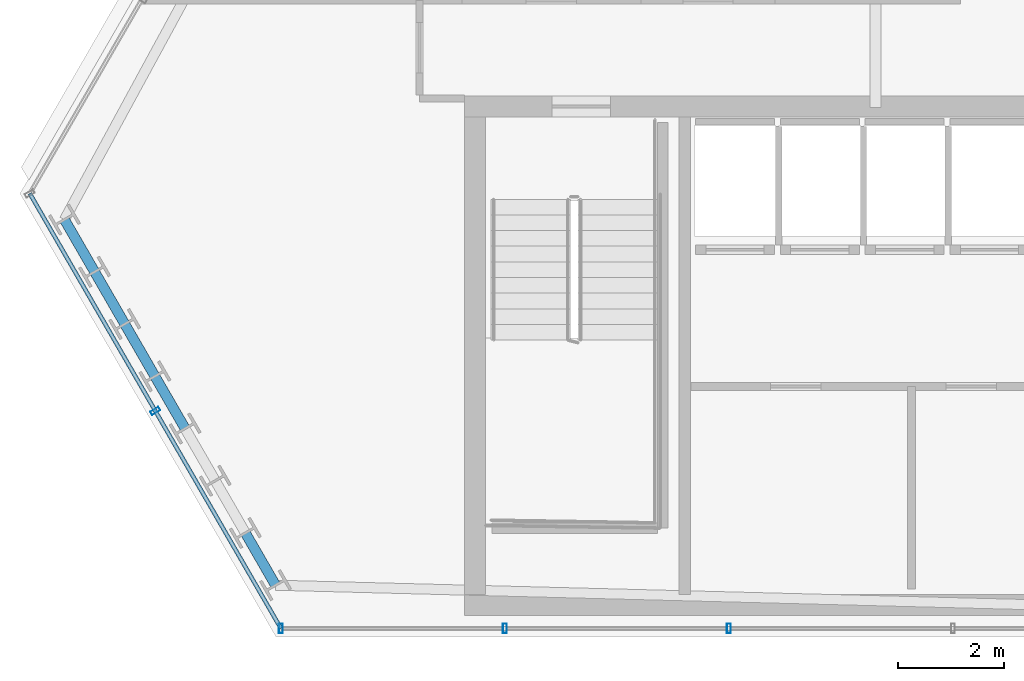
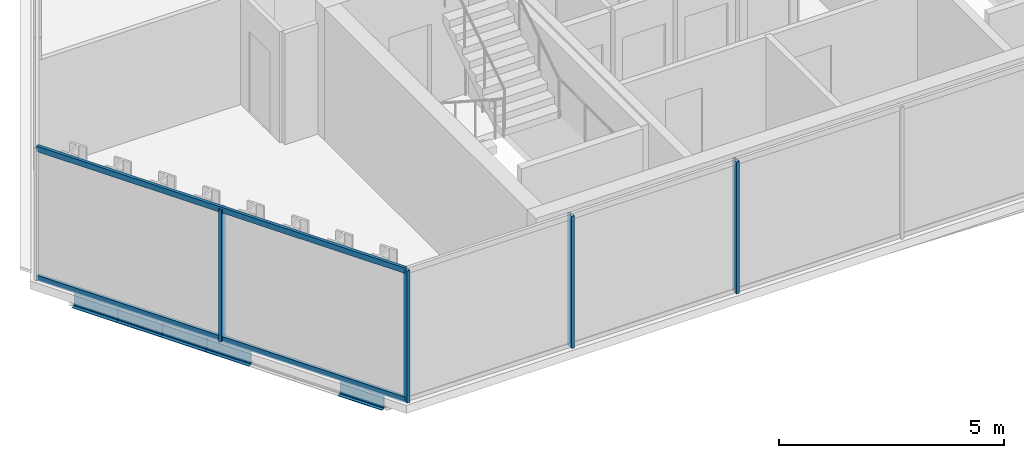
# One storey, part 2 of 33: 6 members, 5 beams, 2 elements without a shape of their own.
"""IFC4 building model written with IfcOpenShell, lengths in metres."""

import ifcopenshell
import ifcopenshell.guid

model = None  # the IFC model being written
_history = None  # IfcOwnerHistory: only IFC2X3 demands one
_inside = {}  # id of a spatial element -> (the spatial element, [elements in it])
_under = {}  # id of a project, library or spatial element -> (it, [spatial elements below it])
_declared = {}  # id of a project -> (the project, [libraries it declares])
_typed = {}  # id of a type object -> (the type object, [elements of that type])
_made_of = {}  # id of a material, layer set ... -> (it, [elements and type objects made of it])


def new_model(schema):
    """Start an empty IFC model of exactly this schema.

    Asked for "IFC4X3", IfcOpenShell would pick the latest addendum, in which some entities
    have other attributes; the version numbers below select the first issue.
    IFC2X3 requires an IfcOwnerHistory on every rooted entity: one is made here for all.
    """
    global model, _history
    if schema == "IFC4X3":
        model = ifcopenshell.file(schema_version=(4, 3, 0, 0))
    else:
        model = ifcopenshell.file(schema=schema)
    _inside.clear()
    _under.clear()
    _declared.clear()
    _typed.clear()
    _made_of.clear()
    _history = None
    if model.schema == "IFC2X3":
        org = make("IfcOrganization", Name="unknown")
        user = make(
            "IfcPersonAndOrganization",
            ThePerson=make("IfcPerson", FamilyName="unknown"),
            TheOrganization=org,
        )
        app = make(
            "IfcApplication",
            ApplicationDeveloper=org,
            Version="unknown",
            ApplicationFullName="unknown",
            ApplicationIdentifier="unknown",
        )
        _history = make(
            "IfcOwnerHistory",
            OwningUser=user,
            OwningApplication=app,
            ChangeAction="ADDED",
            CreationDate=0,
        )
    return model


def make(cls, **values):
    """One entity of the class cls with the attributes given. An attribute that is None is left unset."""
    return model.create_entity(
        cls, **{name: value for name, value in values.items() if value is not None}
    )


def rooted(cls, **values):
    """An entity with a GlobalId (a new one), such as an element, a storey or a relation."""
    return make(cls, GlobalId=ifcopenshell.guid.new(), OwnerHistory=_history, **values)


def si_unit(unit_type, name, prefix=None):
    """IfcSIUnit, for example si_unit("LENGTHUNIT", "METRE", prefix="MILLI")."""
    return make("IfcSIUnit", UnitType=unit_type, Prefix=prefix, Name=name)


def assignment(units):
    """IfcUnitAssignment: the units of a project."""
    return None if units is None else make("IfcUnitAssignment", Units=units)


def point(xyz):
    """IfcCartesianPoint."""
    return None if xyz is None else make("IfcCartesianPoint", Coordinates=xyz)


def direction(xyz):
    """IfcDirection."""
    return None if xyz is None else make("IfcDirection", DirectionRatios=xyz)


def frame(location, z_axis=None, x_axis=None):
    """IfcAxis2Placement3D, a coordinate frame: its origin and axes. An axis left out is left unset."""
    return make(
        "IfcAxis2Placement3D",
        Location=point(location),
        Axis=direction(z_axis),
        RefDirection=direction(x_axis),
    )


def frame_2d(location, x_axis=None):
    """IfcAxis2Placement2D, a coordinate frame in the plane: its origin and x axis."""
    return make(
        "IfcAxis2Placement2D", Location=point(location), RefDirection=direction(x_axis)
    )


def origin():
    """The frame at (0, 0, 0) with its axes left unset."""
    return frame((0.0, 0.0, 0.0))


def origin_2d():
    """The frame at (0, 0) in the plane with its x axis left unset."""
    return frame_2d((0.0, 0.0))


def place(relative_to, where):
    """IfcLocalPlacement: puts the frame where relative to a parent placement (None: the world)."""
    return make(
        "IfcLocalPlacement", PlacementRelTo=relative_to, RelativePlacement=where
    )


def context(
    kind, dimensions, precision=None, world=None, true_north=None, identifier=None
):
    """IfcGeometricRepresentationContext, for example the 3D "Model" context."""
    return make(
        "IfcGeometricRepresentationContext",
        ContextIdentifier=identifier,
        ContextType=kind,
        CoordinateSpaceDimension=dimensions,
        Precision=precision,
        WorldCoordinateSystem=world,
        TrueNorth=true_north,
    )


def subcontext(parent, identifier, kind, view, scale=None):
    """IfcGeometricRepresentationSubContext, for example "Body" below "Model"."""
    return make(
        "IfcGeometricRepresentationSubContext",
        ContextIdentifier=identifier,
        ContextType=kind,
        ParentContext=parent,
        TargetScale=scale,
        TargetView=view,
    )


def project(units=None, contexts=None):
    """IfcProject with its units and contexts."""
    return rooted(
        "IfcProject",
        Name="project",
        RepresentationContexts=contexts,
        UnitsInContext=assignment(units),
    )


def spatial(cls, under=None, at=None, **own):
    """A site, building, storey or space (cls), placed at a placement, below another one or the project."""
    s = rooted(cls, ObjectPlacement=at, **own)
    if under is not None:
        _under.setdefault(under.id(), (under, []))[1].append(s)
    return s


def profile(cls, at=None, kind="AREA", **sizes):
    """A parametric profile (cls). Its sizes go by their IFC names, for example OverallWidth=200.0."""
    return make(cls, ProfileType=kind, Position=at, **sizes)


def hollow_rectangle(**sizes):
    """IfcRectangleHollowProfileDef."""
    return profile("IfcRectangleHollowProfileDef", **sizes)


def i_section(**sizes):
    """IfcIShapeProfileDef."""
    return profile("IfcIShapeProfileDef", **sizes)


def extrude(swept, where, along, depth):
    """IfcExtrudedAreaSolid: the profile swept, set in the frame where, extruded along a direction by depth."""
    return make(
        "IfcExtrudedAreaSolid",
        SweptArea=swept,
        Position=where,
        ExtrudedDirection=direction(along),
        Depth=depth,
    )


def shape(context_of_items, identifier, shape_type, items):
    """IfcShapeRepresentation: the items that make up one representation, for example the "Body"."""
    return make(
        "IfcShapeRepresentation",
        ContextOfItems=context_of_items,
        RepresentationIdentifier=identifier,
        RepresentationType=shape_type,
        Items=items,
    )


def material(Name=None, Category=None):
    """IfcMaterial."""
    return make("IfcMaterial", Name=Name, Category=Category)


def layer(
    of_material, thickness, ventilated=None, Name=None, Category=None, Priority=None
):
    """IfcMaterialLayer: one layer of a wall or slab, of a material (None: an air gap)."""
    return make(
        "IfcMaterialLayer",
        Material=of_material,
        LayerThickness=thickness,
        IsVentilated=ventilated,
        Name=Name,
        Category=Category,
        Priority=Priority,
    )


def layer_set(layers, Name=None):
    """IfcMaterialLayerSet."""
    return make("IfcMaterialLayerSet", MaterialLayers=layers, LayerSetName=Name)


def material_profile(
    of_material, cross_section, Name=None, Category=None, Priority=None
):
    """IfcMaterialProfile: a cross section and its material."""
    return make(
        "IfcMaterialProfile",
        Name=Name,
        Material=of_material,
        Profile=cross_section,
        Priority=Priority,
        Category=Category,
    )


def profile_set(profiles, Name=None, composite=None):
    """IfcMaterialProfileSet."""
    return make(
        "IfcMaterialProfileSet",
        Name=Name,
        MaterialProfiles=profiles,
        CompositeProfile=composite,
    )


def made_of(thing, what):
    """Note that an element or type object is made of a material, layer set ...; save() writes the relation."""
    if what is not None:
        _made_of.setdefault(what.id(), (what, []))[1].append(thing)
    return thing


def type_object(cls, material=None, **own):
    """A type object (cls), such as IfcWallType, which elements share."""
    return made_of(rooted(cls, **own), material)


def element(
    cls,
    number,
    at=None,
    inside=None,
    cuts=None,
    type_object=None,
    material=None,
    context=None,
    identifier="Body",
    shape_type=None,
    held_by="IfcProductDefinitionShape",
    body=None,
    shapes=None,
    **own,
):
    """One element of the class cls, such as IfcWall. Its Tag is "e" and its number.

    at: its placement. inside: the storey or other place that contains it. cuts: it is an
    opening in that element (IfcRelVoidsElement). A single representation is given by context,
    identifier, shape_type and body (its items); several are given by shapes. held_by: the class
    of the entity that holds the representations. save() writes the other relations.
    """
    e = rooted(cls, Tag="e%d" % number, ObjectPlacement=at, **own)
    if body is not None:
        shapes = [shape(context, identifier, shape_type, body)]
    if shapes is not None:
        e.Representation = make(held_by, Representations=shapes)
    if inside is not None:
        _inside.setdefault(inside.id(), (inside, []))[1].append(e)
    if cuts is not None:
        rooted(
            "IfcRelVoidsElement", RelatingBuildingElement=cuts, RelatedOpeningElement=e
        )
    if type_object is not None:
        _typed.setdefault(type_object.id(), (type_object, []))[1].append(e)
    return made_of(e, material)


def aggregate(whole, parts):
    """IfcRelAggregates: a whole, such as a stair, and the parts it consists of."""
    return rooted("IfcRelAggregates", RelatingObject=whole, RelatedObjects=parts)


def save(model, path):
    """Write the relations noted so far, then the file.

    IfcRelAggregates (storeys below a building ...), IfcRelContainedInSpatialStructure (elements
    in a storey), IfcRelDefinesByType, IfcRelAssociatesMaterial and IfcRelDeclares: one each for
    every whole, place, type object, material and project.
    """
    for whole, parts in _under.values():
        aggregate(whole, parts)
    for where, things in _inside.values():
        rooted(
            "IfcRelContainedInSpatialStructure",
            RelatedElements=things,
            RelatingStructure=where,
        )
    for kind, things in _typed.values():
        rooted("IfcRelDefinesByType", RelatedObjects=things, RelatingType=kind)
    for what, things in _made_of.values():
        rooted("IfcRelAssociatesMaterial", RelatedObjects=things, RelatingMaterial=what)
    for by, libraries in _declared.values():
        rooted("IfcRelDeclares", RelatingContext=by, RelatedDefinitions=libraries)
    model.write(path)


model = new_model("IFC4")

# Units and contexts
model_context = context("Model", 3, precision=1e-05, world=origin(), true_north=direction((0.0, 1.0)))
body_context = subcontext(model_context, "Body", "Model", "MODEL_VIEW")
ifc_project = project(units=[si_unit("LENGTHUNIT", "METRE"), si_unit("AREAUNIT", "SQUARE_METRE"), si_unit("VOLUMEUNIT", "CUBIC_METRE"), si_unit("PLANEANGLEUNIT", "RADIAN"), si_unit("MASSUNIT", "GRAM", prefix="KILO")], contexts=[model_context])

# Site, building, storey
site_placement = place(None, origin())
site = spatial("IfcSite", under=ifc_project, at=site_placement, CompositionType="ELEMENT")
building_placement = place(site_placement, origin())
building = spatial("IfcBuilding", under=site, at=building_placement, Name="Ndaravel Arena Tower", CompositionType="ELEMENT")
storey_placement = place(building_placement, frame((0.0, 0.0, 184.0)))
storey = spatial("IfcBuildingStorey", under=building, at=storey_placement, Name="L44", CompositionType="ELEMENT", Elevation=184.0)

# Beams
ifc_material_1 = material(Name="Steel S355", Category="steel")
ifc_material_profile_1 = material_profile(ifc_material_1, i_section(OverallWidth=0.18994140625, OverallDepth=0.449951171875, WebThickness=0.009521484375, FlangeThickness=0.0146484375, FilletRadius=0.02099609375, at=origin_2d()), Name="IPE 450")
ifc_profile_set_1 = profile_set([ifc_material_profile_1], Name="Steel S355")
beam_type = type_object("IfcBeamType", Name="BM-SPAN-IPE450", PredefinedType="SPANDREL", material=ifc_profile_set_1)
for number, where, z_axis, x_axis, name in (
    (1, (18.906005859375, 12.866943359375, -0.445068359375), (0.499995010897, -0.866028284225, 0.0), (0.866028284225, 0.499995010897, 0.0), "L44 Perimeter Spandrel Beam SP-20"),
    (2, (19.474609375, 11.882080078125, -0.445068359375), (0.499995010897, -0.866028284225, 0.0), (0.866028284225, 0.499995010897, 0.0), "L44 Perimeter Spandrel Beam SP-21"),
):
    element("IfcBeam", number, at=place(storey_placement, frame(where, z_axis=z_axis, x_axis=x_axis)), inside=storey, type_object=beam_type, Name=name, PredefinedType="SPANDREL", context=body_context, shape_type="SweptSolid", body=[
        extrude(i_section(OverallWidth=0.18994140625, OverallDepth=0.449951171875, WebThickness=0.009521484375, FlangeThickness=0.0146484375, FilletRadius=0.02099609375, at=origin_2d()), origin(), (0.0, 0.0, 1.0), 1.13720703125),
    ])
for number, where, z_axis, x_axis, name in (
    (3, (20.043212890625, 10.897216796875, -0.445068359375), (0.499902065766, -0.866081938758, 0.0), (0.866081938758, 0.499902065766, 0.0), "L44 Perimeter Spandrel Beam SP-22"),
    (4, (20.61181640625, 9.912109375, -0.445068359375), (0.500155997749, -0.865935319707, 0.0), (0.865935319707, 0.500155997749, 0.0), "L44 Perimeter Spandrel Beam SP-23"),
    (5, (22.31787109375, 6.95751953125, -0.445068359375), (0.499902065766, -0.866081938758, 0.0), (0.866081938758, 0.499902065766, 0.0), "L44 Perimeter Spandrel Beam SP-26"),
):
    element("IfcBeam", number, at=place(storey_placement, frame(where, z_axis=z_axis, x_axis=x_axis)), inside=storey, type_object=beam_type, Name=name, PredefinedType="SPANDREL", context=body_context, shape_type="SweptSolid", body=[
        extrude(i_section(OverallWidth=0.18994140625, OverallDepth=0.449951171875, WebThickness=0.009521484375, FlangeThickness=0.0146484375, FilletRadius=0.02099609375, at=origin_2d()), origin(), (0.0, 0.0, 1.0), 1.137451171875),
    ])

# Curtain wall, members
ifc_material_2 = material(Name="Aluminium", Category="aluminium")
ifc_layer_1 = layer(ifc_material_2, 0.179931640625)
ifc_layer_set_1 = layer_set([ifc_layer_1], Name="Aluminium")
curtain_wall_type_1 = type_object("IfcCurtainWallType", Name="CW-SYS-03", PredefinedType="NOTDEFINED", material=ifc_layer_set_1)
curtain_wall_1_placement = place(storey_placement, origin())
curtain_wall_1 = element("IfcCurtainWall", 6, at=curtain_wall_1_placement, inside=storey, type_object=curtain_wall_type_1, Name="L44 Faceted Crystal Curtain Wall CW-L44-E01", PredefinedType="NOTDEFINED")
ifc_material_3 = material(Name="Aluminium", Category="aluminium")
ifc_material_profile_2 = material_profile(ifc_material_3, hollow_rectangle(XDim=0.074951171875, YDim=0.179931640625, WallThickness=0.00390625, at=origin_2d()), Name="CW MULLION 75x180x4")
ifc_profile_set_2 = profile_set([ifc_material_profile_2], Name="Aluminium")
member_type_1 = type_object("IfcMemberType", Name="MEM-CW-MUL180", PredefinedType="MULLION", material=ifc_profile_set_2)
member_1_placement = place(storey_placement, frame((22.986083984375, 5.159912109375, 0.0), z_axis=(0.0, 0.0, 1.0), x_axis=(1.0, 0.0, 0.0)))
member_1 = element("IfcMember", 7, at=member_1_placement, type_object=member_type_1, Name="CW-L44-E01 Mullion 00", PredefinedType="MULLION", context=body_context, shape_type="SweptSolid", body=[
    extrude(hollow_rectangle(XDim=0.074951171875, YDim=0.179931640625, WallThickness=0.00390625, at=origin_2d()), origin(), (0.0, 0.0, 1.0), 3.580078125),
])
member_2_placement = place(storey_placement, frame((27.21142578125, 5.159912109375, 0.0), z_axis=(0.0, 0.0, 1.0), x_axis=(1.0, 0.0, 0.0)))
member_2 = element("IfcMember", 8, at=member_2_placement, type_object=member_type_1, Name="CW-L44-E01 Mullion 01", PredefinedType="MULLION", context=body_context, shape_type="SweptSolid", body=[
    extrude(hollow_rectangle(XDim=0.074951171875, YDim=0.179931640625, WallThickness=0.00390625, at=origin_2d()), origin(), (0.0, 0.0, 1.0), 3.580078125),
])
member_3_placement = place(storey_placement, frame((31.436767578125, 5.159912109375, 0.0), z_axis=(0.0, 0.0, 1.0), x_axis=(1.0, 0.0, 0.0)))
member_3 = element("IfcMember", 9, at=member_3_placement, type_object=member_type_1, Name="CW-L44-E01 Mullion 02", PredefinedType="MULLION", context=body_context, shape_type="SweptSolid", body=[
    extrude(hollow_rectangle(XDim=0.074951171875, YDim=0.179931640625, WallThickness=0.00390625, at=origin_2d()), origin(), (0.0, 0.0, 1.0), 3.580078125),
])
aggregate(curtain_wall_1, [member_1, member_2, member_3])

ifc_material_4 = material(Name="Aluminium", Category="aluminium")
ifc_layer_2 = layer(ifc_material_4, 0.179931640625)
ifc_layer_set_2 = layer_set([ifc_layer_2], Name="Aluminium")
curtain_wall_type_2 = type_object("IfcCurtainWallType", Name="CW-SYS-02", PredefinedType="NOTDEFINED", material=ifc_layer_set_2)
curtain_wall_2_placement = place(storey_placement, origin())
curtain_wall_2 = element("IfcCurtainWall", 10, at=curtain_wall_2_placement, inside=storey, type_object=curtain_wall_type_2, Name="L44 Faceted Crystal Curtain Wall CW-L44-E06", PredefinedType="NOTDEFINED")
member_4_placement = place(storey_placement, frame((20.619140625, 9.259765625, 0.0), z_axis=(0.0, 0.0, 1.0), x_axis=(0.5, -0.866025403784, 0.0)))
member_4 = element("IfcMember", 11, at=member_4_placement, type_object=member_type_1, Name="CW-L44-E06 Mullion 01", PredefinedType="MULLION", context=body_context, shape_type="SweptSolid", body=[
    extrude(hollow_rectangle(XDim=0.074951171875, YDim=0.179931640625, WallThickness=0.00390625, at=origin_2d()), origin(), (0.0, 0.0, 1.0), 3.580078125),
])
ifc_material_5 = material(Name="Aluminium", Category="aluminium")
ifc_material_profile_3 = material_profile(ifc_material_5, hollow_rectangle(XDim=0.074951171875, YDim=0.14990234375, WallThickness=0.00390625, at=origin_2d()), Name="CW TRANSOM 75x150x4")
ifc_profile_set_3 = profile_set([ifc_material_profile_3], Name="Aluminium")
member_type_2 = type_object("IfcMemberType", Name="MEM-CW-TRN150", PredefinedType="USERDEFINED", material=ifc_profile_set_3)
member_5_placement = place(storey_placement, frame((18.252197265625, 13.359375, 0.0400390625), z_axis=(0.499994028088, -0.866028851642, 0.0), x_axis=(0.866028851642, 0.499994028088, 0.0)))
member_5 = element("IfcMember", 12, at=member_5_placement, type_object=member_type_2, Name="CW-L44-E06 Transom 01", ObjectType="TRANSOM", PredefinedType="USERDEFINED", context=body_context, shape_type="SweptSolid", body=[
    extrude(hollow_rectangle(XDim=0.074951171875, YDim=0.14990234375, WallThickness=0.00390625, at=origin_2d()), origin(), (0.0, 0.0, 1.0), 9.4677734375),
])
member_6_placement = place(storey_placement, frame((18.252197265625, 13.359375, 3.5400390625), z_axis=(0.499994028088, -0.866028851642, 0.0), x_axis=(0.866028851642, 0.499994028088, 0.0)))
member_6 = element("IfcMember", 13, at=member_6_placement, type_object=member_type_2, Name="CW-L44-E06 Transom 02", ObjectType="TRANSOM", PredefinedType="USERDEFINED", context=body_context, shape_type="SweptSolid", body=[
    extrude(hollow_rectangle(XDim=0.074951171875, YDim=0.14990234375, WallThickness=0.00390625, at=origin_2d()), origin(), (0.0, 0.0, 1.0), 9.4677734375),
])
aggregate(curtain_wall_2, [member_4, member_5, member_6])

save(model, "model.ifc")
